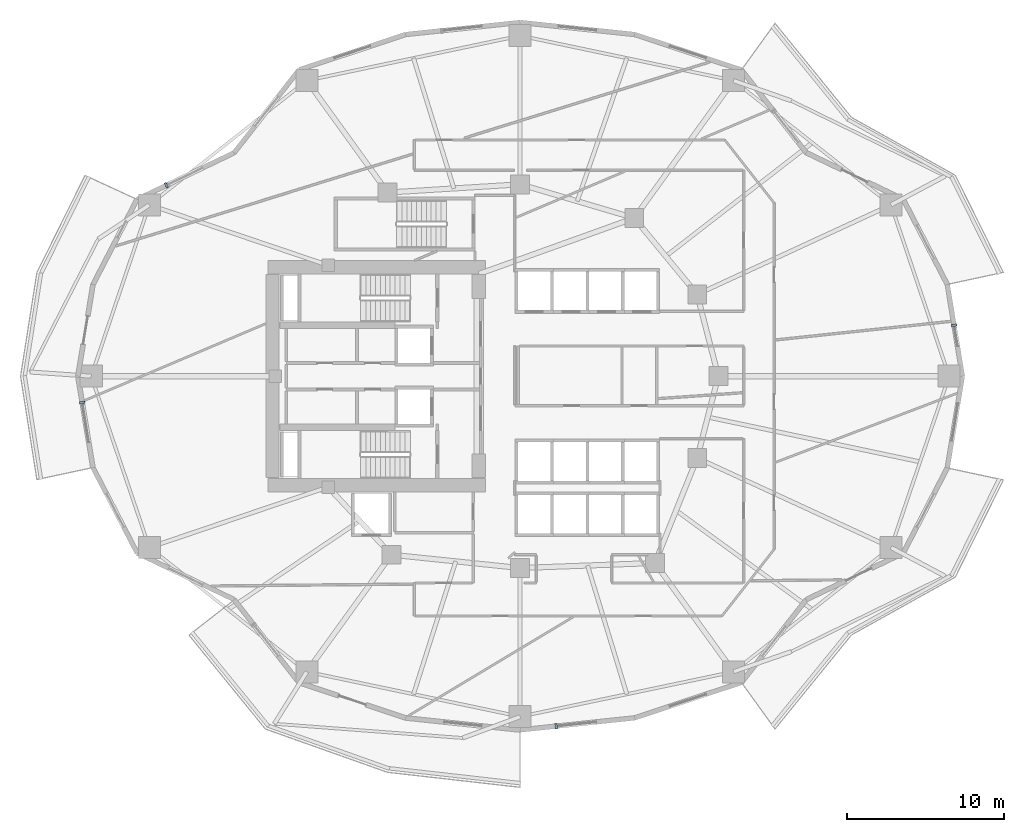
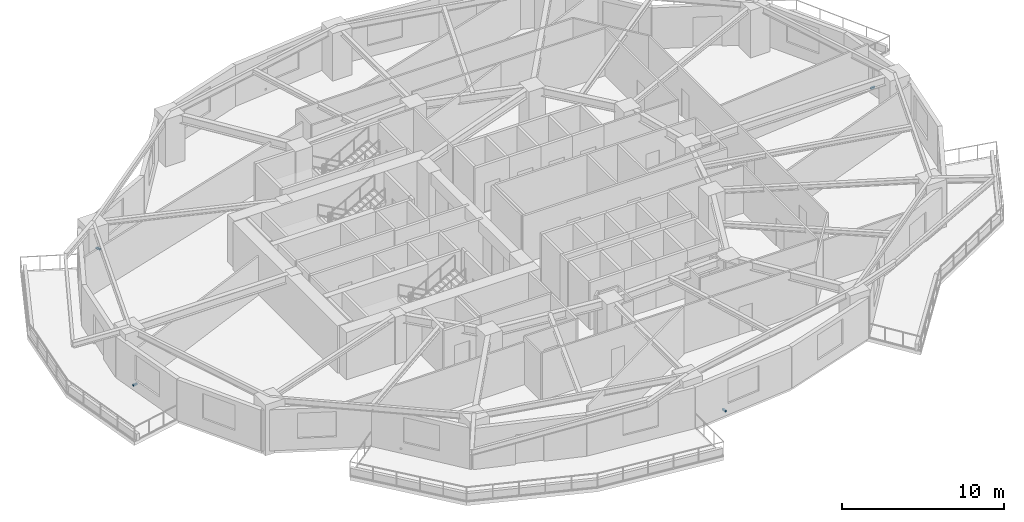
# One storey, part 8 of 14: 4 discrete accessories.
"""IFC4 building model written with IfcOpenShell, lengths in metres."""

from ifc_helpers import new_model, si_unit, direction, frame, origin, origin_2d, place, context, subcontext, project, spatial, rectangle, extrude, material, type_object, element, save


model = new_model("IFC4")

# Units and contexts
model_context = context("Model", 3, precision=1e-05, world=origin(), true_north=direction((0.0, 1.0)))
body_context = subcontext(model_context, "Body", "Model", "MODEL_VIEW")
ifc_project = project(units=[si_unit("LENGTHUNIT", "METRE"), si_unit("AREAUNIT", "SQUARE_METRE"), si_unit("VOLUMEUNIT", "CUBIC_METRE"), si_unit("PLANEANGLEUNIT", "RADIAN"), si_unit("MASSUNIT", "GRAM", prefix="KILO")], contexts=[model_context])

# Site, building, storey
site_placement = place(None, origin())
site = spatial("IfcSite", under=ifc_project, at=site_placement, CompositionType="ELEMENT")
building_placement = place(site_placement, origin())
building = spatial("IfcBuilding", under=site, at=building_placement, Name="Kolvaren Gate Tower and Convention Centre", CompositionType="ELEMENT")
storey_placement = place(building_placement, frame((0.0, 0.0, 41.89990234375)))
storey = spatial("IfcBuildingStorey", under=building, at=storey_placement, Name="L09", CompositionType="ELEMENT", Elevation=41.89990234375)

# Discrete accessories
ifc_material = material(Name="Anodized Architectural Aluminium Alloy 6063-T6", Category="aluminium")
discrete_accessory_type = type_object("IfcDiscreteAccessoryType", Name="ARCH-ACC-BRACKET-120", PredefinedType="BRACKET", material=ifc_material)
for number, where, z_axis, x_axis, name in (
    (1, (57.717041015625, 30.23828125, 0.2900390625), (0.0, 0.0, 1.0), (0.162377123682, -0.986728772108, 0.0), "Ceramic Fin Wall Anchor Bracket FBK-L09-00"),
    (2, (7.625732421875, 39.142578125, 0.2900390625), (0.0, 0.0, 1.0), (0.90136443672, 0.433061372343, 0.0), "Ceramic Fin Wall Anchor Bracket FBK-L09-09"),
    (3, (2.2744140625, 25.33251953125, 0.2900390625), (0.0, 0.0, 1.0), (0.162377123682, -0.986728772108, 0.0), "Ceramic Fin Wall Anchor Bracket FBK-L09-12"),
    (4, (32.412353515625, 4.740966796875, 0.2900390625), (0.0, 0.0, 1.0), (0.994498884311, 0.104747167526, 0.0), "Ceramic Fin Wall Anchor Bracket FBK-L09-18"),
):
    element("IfcDiscreteAccessory", number, at=place(storey_placement, frame(where, z_axis=z_axis, x_axis=x_axis)), inside=storey, type_object=discrete_accessory_type, Name=name, PredefinedType="BRACKET", context=body_context, shape_type="SweptSolid", body=[
        extrude(rectangle(XDim=0.1201171875, YDim=0.320068359375, at=origin_2d()), origin(), (0.0, 0.0, 1.0), 0.1201171875),
    ])

save(model, "model.ifc")
